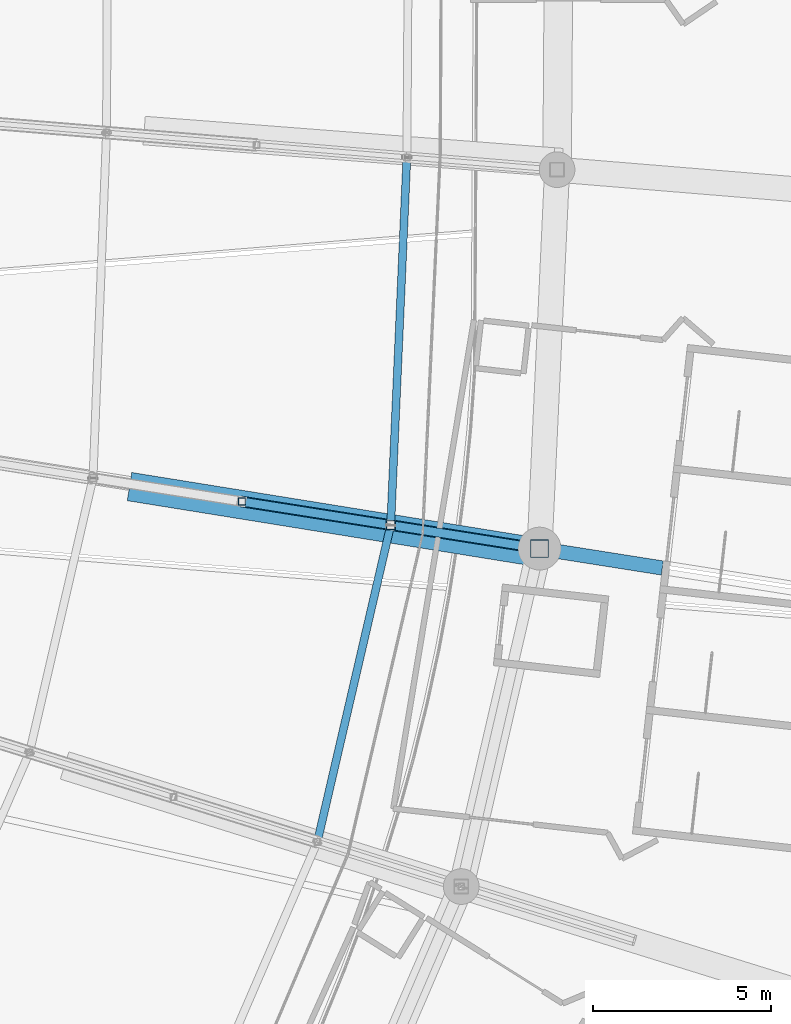
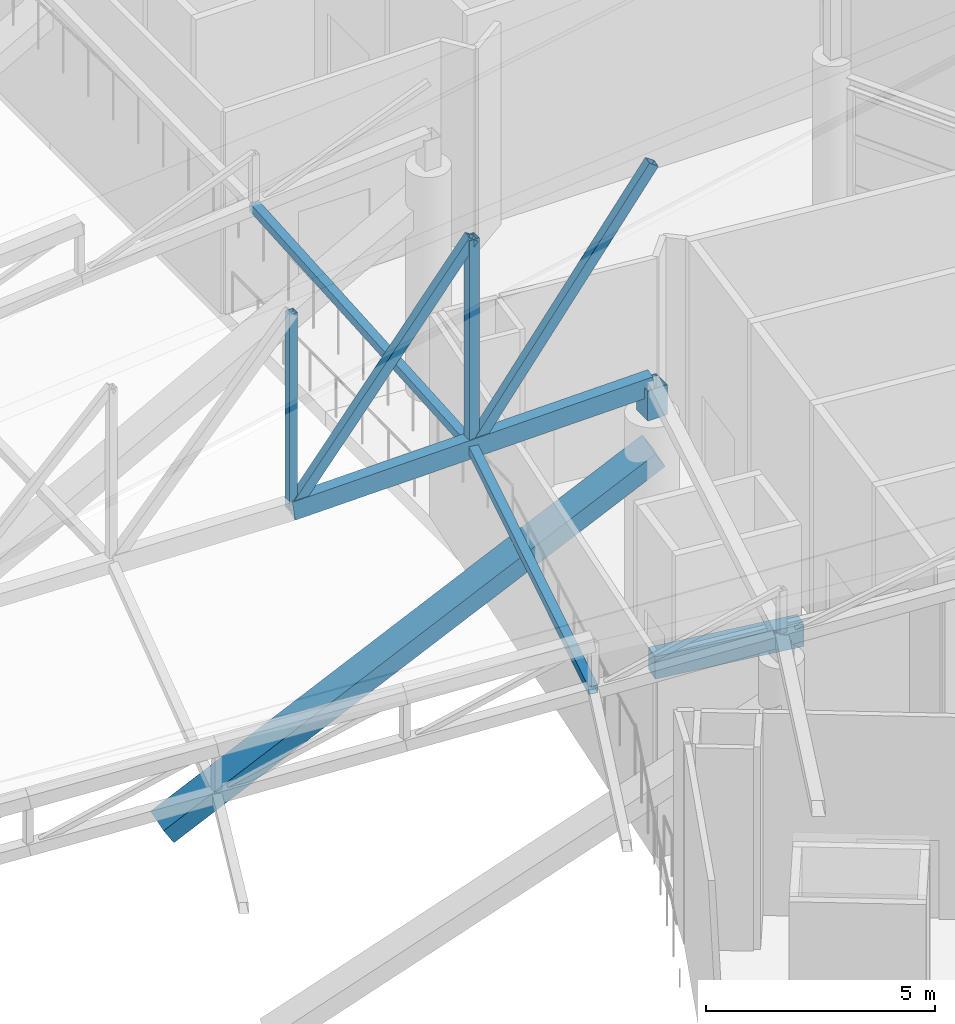
# One storey, part 93 of 344: 8 members, 2 beams.
"""IFC4 building model written with IfcOpenShell, lengths in metres."""

from ifc_helpers import new_model, si_unit, direction, frame, origin, origin_2d, place, context, subcontext, project, spatial, rectangle, hollow_rectangle, extrude, material, material_profile, profile_set, type_object, element, save


model = new_model("IFC4")

# Units and contexts
model_context = context("Model", 3, precision=1e-05, world=origin(), true_north=direction((0.0, 1.0)))
body_context = subcontext(model_context, "Body", "Model", "MODEL_VIEW")
ifc_project = project(units=[si_unit("LENGTHUNIT", "METRE"), si_unit("AREAUNIT", "SQUARE_METRE"), si_unit("VOLUMEUNIT", "CUBIC_METRE"), si_unit("PLANEANGLEUNIT", "RADIAN"), si_unit("MASSUNIT", "GRAM", prefix="KILO")], contexts=[model_context])

# Site, building, storey
site_placement = place(None, origin())
site = spatial("IfcSite", under=ifc_project, at=site_placement, CompositionType="ELEMENT")
building_placement = place(site_placement, origin())
building = spatial("IfcBuilding", under=site, at=building_placement, Name="Meseta Stadium", CompositionType="ELEMENT")
storey_placement = place(building_placement, frame((0.0, 0.0, 24.0)))
storey = spatial("IfcBuildingStorey", under=building, at=storey_placement, Name="L04", CompositionType="ELEMENT", Elevation=24.0)

# Beams
ifc_material_1 = material(Name="Concrete C40/50", Category="concrete")
ifc_material_profile_1 = material_profile(ifc_material_1, rectangle(XDim=0.39990234375, YDim=0.60009765625, at=origin_2d()), Name="RC 400x600")
ifc_profile_set_1 = profile_set([ifc_material_profile_1], Name="Concrete C40/50")
beam_type_1 = type_object("IfcBeamType", Name="RC beam 400x600", PredefinedType="BEAM", material=ifc_profile_set_1)
beam_1_placement = place(storey_placement, frame((84.36328125, -53.5654296875, -0.699951171875), z_axis=(0.987745905014, -0.156070583799, 0.0), x_axis=(0.156070583799, 0.987745905014, 0.0)))
element("IfcBeam", 1, at=beam_1_placement, inside=storey, type_object=beam_type_1, Name="L04 radial beam frame 0 line P to R", PredefinedType="BEAM", context=body_context, shape_type="SweptSolid", body=[
    extrude(rectangle(XDim=0.39990234375, YDim=0.60009765625, at=origin_2d()), origin(), (0.0, 0.0, 1.0), 3.482177734375),
])
ifc_material_2 = material(Name="Concrete C40/50", Category="concrete")
ifc_material_profile_2 = material_profile(ifc_material_2, rectangle(XDim=0.800048828125, YDim=0.449951171875, at=origin_2d()), Name="RC 800x450")
ifc_profile_set_2 = profile_set([ifc_material_profile_2], Name="Concrete C40/50")
beam_type_2 = type_object("IfcBeamType", Name="RC raker upper rear 800x450", PredefinedType="USERDEFINED", material=ifc_profile_set_2)
beam_2_placement = place(storey_placement, frame((72.9921875, -51.84716796875, -2.13525390625), z_axis=(0.837410546154, -0.134871626507, 0.529672749492), x_axis=(0.159008836168, 0.987277159677, 0.0)))
element("IfcBeam", 2, at=beam_2_placement, inside=storey, type_object=beam_type_2, Name="Raker upper rear frame 0 upper tier", ObjectType="RAKER", PredefinedType="USERDEFINED", context=body_context, shape_type="SweptSolid", body=[
    extrude(rectangle(XDim=0.800048828125, YDim=0.449951171875, at=origin_2d()), origin(), (0.0, 0.0, 1.0), 13.55810546875),
])

# Members
ifc_material_3 = material(Name="Steel S355", Category="steel")
ifc_material_profile_3 = material_profile(ifc_material_3, hollow_rectangle(XDim=0.300048828125, YDim=0.5, WallThickness=0.01611328125, at=origin_2d()), Name="RHS 500x300x16")
ifc_profile_set_3 = profile_set([ifc_material_profile_3], Name="Steel S355")
member_type_1 = type_object("IfcMemberType", Name="RHS 500x300x16 bottom chord", PredefinedType="CHORD", material=ifc_profile_set_3)
member_1_placement = place(storey_placement, frame((76.0224609375, -52.247314453125, 5.5712890625), z_axis=(0.977448041444, -0.154467918738, 0.143996487314), x_axis=(0.156094706732, 0.987742093125, 0.0)))
element("IfcMember", 3, at=member_1_placement, inside=storey, type_object=member_type_1, Name="ROOF TRUSS RT-00 bottom chord", PredefinedType="CHORD", context=body_context, shape_type="SweptSolid", body=[
    extrude(hollow_rectangle(XDim=0.300048828125, YDim=0.5, WallThickness=0.01611328125, at=origin_2d()), origin(), (0.0, 0.0, 1.0), 8.533203125),
])
ifc_material_4 = material(Name="Steel S355", Category="steel")
ifc_material_profile_4 = material_profile(ifc_material_4, hollow_rectangle(XDim=0.199951171875, YDim=0.199951171875, WallThickness=0.008056640625, at=origin_2d()), Name="SHS 200x200x8")
ifc_profile_set_4 = profile_set([ifc_material_profile_4], Name="Steel S355")
member_type_2 = type_object("IfcMemberType", Name="SHS 200x200x8 post", PredefinedType="POST", material=ifc_profile_set_4)
member_2_placement = place(storey_placement, frame((76.0224609375, -52.247314453125, 5.5712890625), z_axis=(0.0, 0.0, 1.0), x_axis=(1.0, 0.0, 0.0)))
element("IfcMember", 4, at=member_2_placement, inside=storey, type_object=member_type_2, Name="ROOF TRUSS RT-00 post", PredefinedType="POST", context=body_context, shape_type="SweptSolid", body=[
    extrude(hollow_rectangle(XDim=0.199951171875, YDim=0.199951171875, WallThickness=0.008056640625, at=origin_2d()), origin(), (0.0, 0.0, 1.0), 5.237060546875),
])
ifc_material_5 = material(Name="Steel S355", Category="steel")
ifc_material_profile_5 = material_profile(ifc_material_5, hollow_rectangle(XDim=0.219970703125, YDim=0.219970703125, WallThickness=0.008056640625, at=origin_2d()), Name="SHS 220x220x8")
ifc_profile_set_5 = profile_set([ifc_material_profile_5], Name="Steel S355")
member_type_3 = type_object("IfcMemberType", Name="SHS 220x220x8 strut", PredefinedType="STRUT", material=ifc_profile_set_5)
member_3_placement = place(storey_placement, frame((80.19287109375, -52.90625, 6.160888671875), z_axis=(0.043934404422, 0.999034269526, 0.000544445744), x_axis=(-0.999034417593, 0.043934410934, 0.0)))
element("IfcMember", 5, at=member_3_placement, inside=storey, type_object=member_type_3, Name="ROOF TRUSS STRUT RT-00/01", PredefinedType="STRUT", context=body_context, shape_type="SweptSolid", body=[
    extrude(hollow_rectangle(XDim=0.219970703125, YDim=0.219970703125, WallThickness=0.008056640625, at=origin_2d()), origin(), (0.0, 0.0, 1.0), 10.313720703125),
])
member_4_placement = place(storey_placement, frame((78.137451171875, -61.780029296875, 5.749267578125), z_axis=(0.225424131081, 0.973214264451, 0.045143732629), x_axis=(-0.974207467001, 0.225654185068, 0.0)))
element("IfcMember", 6, at=member_4_placement, inside=storey, type_object=member_type_3, Name="ROOF TRUSS STRUT RT-55/00", PredefinedType="STRUT", context=body_context, shape_type="SweptSolid", body=[
    extrude(hollow_rectangle(XDim=0.219970703125, YDim=0.219970703125, WallThickness=0.008056640625, at=origin_2d()), origin(), (0.0, 0.0, 1.0), 9.117919921875),
])
ifc_material_6 = material(Name="Steel S355", Category="steel")
ifc_material_profile_6 = material_profile(ifc_material_6, hollow_rectangle(XDim=0.25, YDim=0.25, WallThickness=0.010009765625, at=origin_2d()), Name="SHS 250x250x10")
ifc_profile_set_6 = profile_set([ifc_material_profile_6], Name="Steel S355")
member_type_4 = type_object("IfcMemberType", Name="SHS 250x250x10 diagonal", PredefinedType="BRACE", material=ifc_profile_set_6)
member_5_placement = place(storey_placement, frame((76.0224609375, -52.247314453125, 5.5712890625), z_axis=(0.557534913549, -0.088091952445, 0.825466309481), x_axis=(0.156066499211, 0.987746550398, 0.0)))
element("IfcMember", 7, at=member_5_placement, inside=storey, type_object=member_type_4, Name="ROOF TRUSS RT-00 diagonal", PredefinedType="BRACE", context=body_context, shape_type="SweptSolid", body=[
    extrude(hollow_rectangle(XDim=0.25, YDim=0.25, WallThickness=0.010009765625, at=origin_2d()), origin(), (0.0, 0.0, 1.0), 7.47998046875),
])
member_6_placement = place(storey_placement, frame((80.19287109375, -52.90625, 6.160888671875), z_axis=(0.536748169642, -0.084839015223, 0.839466344699), x_axis=(0.15612291387, 0.987737635086, 0.0)))
element("IfcMember", 8, at=member_6_placement, inside=storey, type_object=member_type_4, Name="ROOF TRUSS RT-00 diagonal", PredefinedType="BRACE", context=body_context, shape_type="SweptSolid", body=[
    extrude(hollow_rectangle(XDim=0.25, YDim=0.25, WallThickness=0.010009765625, at=origin_2d()), origin(), (0.0, 0.0, 1.0), 7.769775390625),
])
ifc_material_7 = material(Name="Steel S355", Category="steel")
ifc_material_profile_7 = material_profile(ifc_material_7, hollow_rectangle(XDim=0.25, YDim=0.25, WallThickness=0.010009765625, at=origin_2d()), Name="SHS 250x250x10")
ifc_profile_set_7 = profile_set([ifc_material_profile_7], Name="Steel S355")
member_type_5 = type_object("IfcMemberType", Name="SHS 250x250x10 post", PredefinedType="POST", material=ifc_profile_set_7)
member_7_placement = place(storey_placement, frame((80.19287109375, -52.90625, 6.160888671875), z_axis=(0.0, 0.0, 1.0), x_axis=(1.0, 0.0, 0.0)))
element("IfcMember", 9, at=member_7_placement, inside=storey, type_object=member_type_5, Name="ROOF TRUSS RT-00 post", PredefinedType="POST", context=body_context, shape_type="SweptSolid", body=[
    extrude(hollow_rectangle(XDim=0.25, YDim=0.25, WallThickness=0.010009765625, at=origin_2d()), origin(), (0.0, 0.0, 1.0), 5.5849609375),
])
ifc_material_8 = material(Name="Steel S355", Category="steel")
ifc_material_profile_8 = material_profile(ifc_material_8, hollow_rectangle(XDim=0.5, YDim=0.5, WallThickness=0.01611328125, at=origin_2d()), Name="SHS 500x500x16")
ifc_profile_set_8 = profile_set([ifc_material_profile_8], Name="Steel S355")
member_type_6 = type_object("IfcMemberType", Name="SHS 500x500x16 pedestal", PredefinedType="POST", material=ifc_profile_set_8)
member_8_placement = place(storey_placement, frame((84.36328125, -53.5654296875, 6.0), z_axis=(0.0, 0.0, 1.0), x_axis=(1.0, 0.0, 0.0)))
element("IfcMember", 10, at=member_8_placement, inside=storey, type_object=member_type_6, Name="ROOF TRUSS RT-00 pedestal", PredefinedType="POST", context=body_context, shape_type="SweptSolid", body=[
    extrude(hollow_rectangle(XDim=0.5, YDim=0.5, WallThickness=0.01611328125, at=origin_2d()), origin(), (0.0, 0.0, 1.0), 0.800048828125),
])

save(model, "model.ifc")
